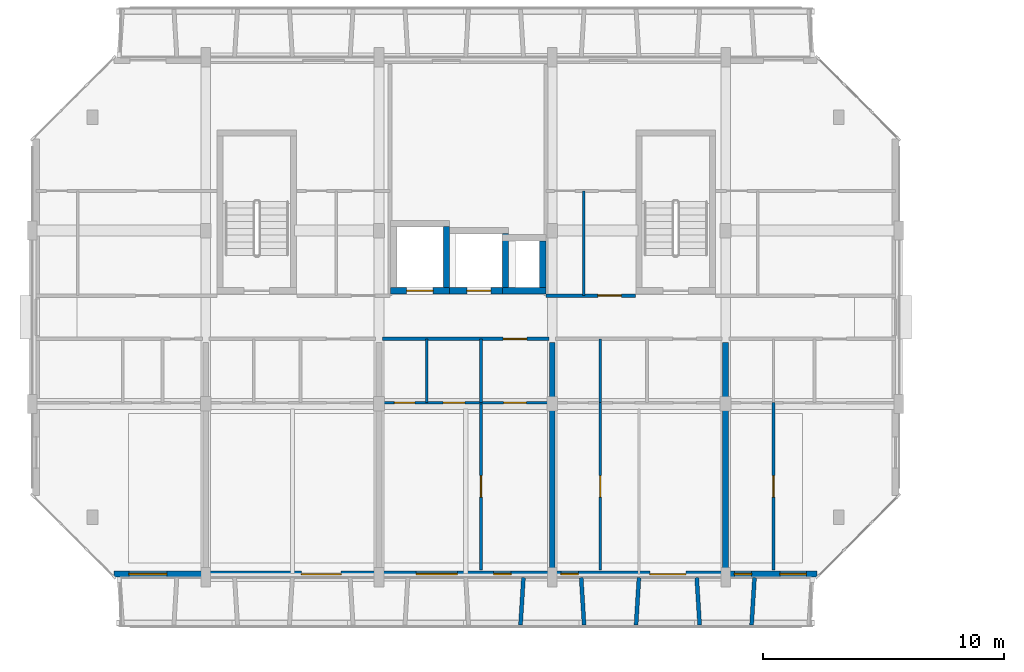
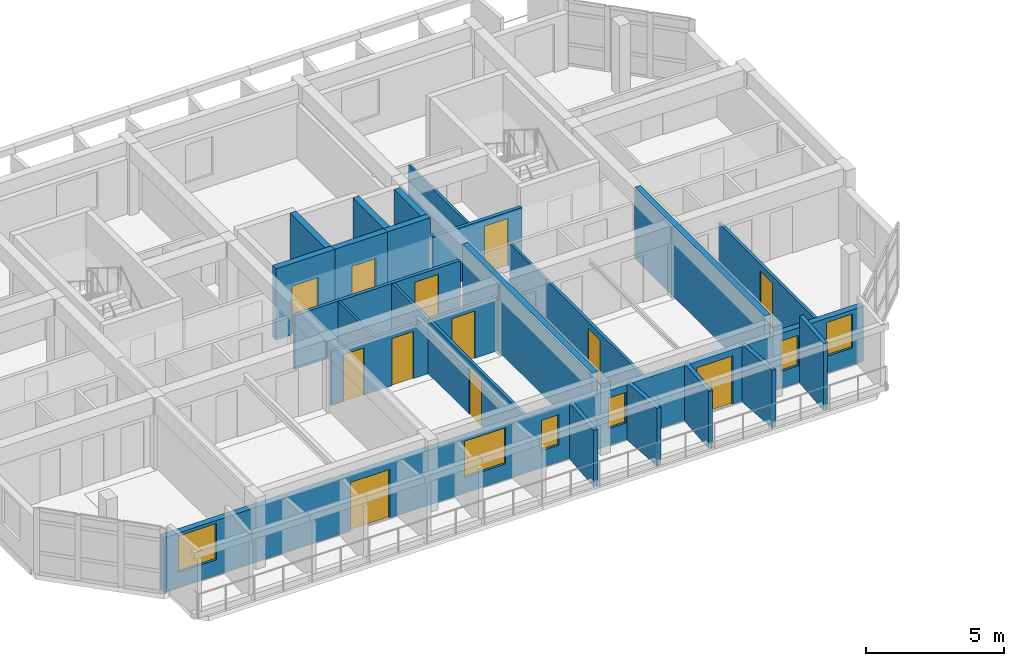
# One storey, part 17 of 45: 24 walls, 12 doors, 6 windows, 18 openings.
"""IFC4 building model written with IfcOpenShell, lengths in metres."""

from ifc_helpers import new_model, si_unit, direction, frame, frame_2d, origin, place, context, subcontext, project, spatial, rectangle, extrude, material, layer, layer_set, type_object, element, fill, save


model = new_model("IFC4")

# Units and contexts
model_context = context("Model", 3, precision=1e-05, world=origin(), true_north=direction((0.0, 1.0)))
body_context = subcontext(model_context, "Body", "Model", "MODEL_VIEW")
ifc_project = project(units=[si_unit("LENGTHUNIT", "METRE"), si_unit("AREAUNIT", "SQUARE_METRE"), si_unit("VOLUMEUNIT", "CUBIC_METRE"), si_unit("PLANEANGLEUNIT", "RADIAN"), si_unit("MASSUNIT", "GRAM", prefix="KILO")], contexts=[model_context])

# Site, building, storey
site_placement = place(None, origin())
site = spatial("IfcSite", under=ifc_project, at=site_placement, CompositionType="ELEMENT")
building_placement = place(site_placement, origin())
building = spatial("IfcBuilding", under=site, at=building_placement, Name="Ochrevale Crest", CompositionType="ELEMENT")
storey_placement = place(building_placement, frame((0.0, 0.0, 18.14990234375)))
storey = spatial("IfcBuildingStorey", under=building, at=storey_placement, Name="L05", CompositionType="ELEMENT", Elevation=18.14990234375)

# Wall, opening, door
ifc_material_1 = material(Name="Gypsum plasterboard", Category="gypsum")
ifc_layer_1 = layer(ifc_material_1, 0.139892578125)
ifc_layer_set_1 = layer_set([ifc_layer_1], Name="Gypsum plasterboard")
wall_type_1 = type_object("IfcWallType", Name="WL-COR-140", PredefinedType="PARTITIONING", material=ifc_layer_set_1)
wall_1_placement = place(storey_placement, frame((14.5400390625, 24.300048828125, 0.0), z_axis=(0.0, 0.0, 1.0), x_axis=(1.0, 0.0, 0.0)))
wall_1 = element("IfcWall", 1, at=wall_1_placement, inside=storey, type_object=wall_type_1, Name="Apartment A-L05-U3 corridor wall", PredefinedType="PARTITIONING", context=body_context, shape_type="SweptSolid", body=[
    extrude(rectangle(XDim=6.919921875, YDim=0.139892578125, at=frame_2d((3.4599609375, 0.0))), origin(), (0.0, 0.0, 1.0), 2.380126953125),
])
opening_1_placement = place(wall_1_placement, frame((6.0, 0.0, 0.0), z_axis=(0.0, 0.0, 1.0), x_axis=(-1.0, 0.0, 0.0)))
opening_1 = element("IfcOpeningElement", 2, at=opening_1_placement, cuts=wall_1, Name="Opening FD01", PredefinedType="OPENING", context=body_context, shape_type="SweptSolid", body=[
    extrude(rectangle(XDim=0.97998046875, YDim=2.10009765625, at=frame_2d((0.489990234375, 1.050048828125))), frame((0.0, 0.080078125, 0.0), z_axis=(0.0, -1.0, 0.0), x_axis=(1.0, 0.0, 0.0)), (0.0, 0.0, 1.0), 0.159912109375),
])
ifc_material_2 = material(Name="Solid-core FSC hardwood", Category="wood")
door_type_1 = type_object("IfcDoorType", Name="DR-APT-950", OperationType="NOTDEFINED", PredefinedType="DOOR", material=ifc_material_2)
door_1_placement = place(opening_1_placement, origin())
door_1 = element("IfcDoor", 3, at=door_1_placement, inside=storey, type_object=door_type_1, Name="Apartment A-L05-U3 entrance door", OperationType="SINGLE_SWING_RIGHT", OverallHeight=2.10009765625, OverallWidth=0.97998046875, PredefinedType="DOOR", context=body_context, shape_type="SweptSolid", body=[
    extrude(rectangle(XDim=0.97998046875, YDim=2.10009765625, at=frame_2d((0.489990234375, 1.050048828125))), frame((0.0, 0.02490234375, 0.0), z_axis=(0.0, -1.0, 0.0), x_axis=(1.0, 0.0, 0.0)), (0.0, 0.0, 1.0), 0.050048828125),
])
fill(opening_1, door_1)

wall_2_placement = place(storey_placement, frame((21.340087890625, 26.10009765625, 0.0), z_axis=(0.0, 0.0, 1.0), x_axis=(1.0, 0.0, 0.0)))
wall_2 = element("IfcWall", 4, at=wall_2_placement, inside=storey, type_object=wall_type_1, Name="Suite A-L05-ME corridor wall", PredefinedType="PARTITIONING", context=body_context, shape_type="SweptSolid", body=[
    extrude(rectangle(XDim=3.719970703125, YDim=0.139892578125, at=frame_2d((1.85986328125, 0.0))), origin(), (0.0, 0.0, 1.0), 2.380126953125),
])
opening_2_placement = place(wall_2_placement, frame((2.151123046875, 0.0, 0.0)))
opening_2 = element("IfcOpeningElement", 5, at=opening_2_placement, cuts=wall_2, Name="Opening FD01", PredefinedType="OPENING", context=body_context, shape_type="SweptSolid", body=[
    extrude(rectangle(XDim=0.97998046875, YDim=2.10009765625, at=frame_2d((0.489990234375, 1.050048828125))), frame((0.0, 0.080078125, 0.0), z_axis=(0.0, -1.0, 0.0), x_axis=(1.0, 0.0, 0.0)), (0.0, 0.0, 1.0), 0.159912109375),
])
door_2_placement = place(opening_2_placement, origin())
door_2 = element("IfcDoor", 6, at=door_2_placement, inside=storey, type_object=door_type_1, Name="Suite A-L05-ME entrance door", OperationType="SINGLE_SWING_LEFT", OverallHeight=2.10009765625, OverallWidth=0.97998046875, PredefinedType="DOOR", context=body_context, shape_type="SweptSolid", body=[
    extrude(rectangle(XDim=0.97998046875, YDim=2.10009765625, at=frame_2d((0.489990234375, 1.050048828125))), frame((0.0, 0.02490234375, 0.0), z_axis=(0.0, -1.0, 0.0), x_axis=(1.0, 0.0, 0.0)), (0.0, 0.0, 1.0), 0.050048828125),
])
fill(opening_2, door_2)

ifc_material_3 = material(Name="Precast concrete C50/60", Category="concrete")
ifc_layer_2 = layer(ifc_material_3, 0.2548828125)
ifc_layer_set_2 = layer_set([ifc_layer_2], Name="Precast concrete C50/60")
wall_type_2 = type_object("IfcWallType", Name="WL-CORE-255", PredefinedType="SHEAR", material=ifc_layer_set_2)
wall_3_placement = place(storey_placement, frame((14.87255859375, 26.300048828125, 0.0), z_axis=(0.0, 0.0, 1.0), x_axis=(1.0, 0.0, 0.0)))
wall_3 = element("IfcWall", 7, at=wall_3_placement, inside=storey, type_object=wall_type_2, Name="Block A L05 Lift 1 precast shaft shear wall S", PredefinedType="SHEAR", context=body_context, shape_type="SweptSolid", body=[
    extrude(rectangle(XDim=2.454833984375, YDim=0.2548828125, at=frame_2d((1.2275390625, 0.0))), origin(), (0.0, 0.0, 1.0), 3.150146484375),
])
opening_3_placement = place(wall_3_placement, frame((0.677490234375, 0.0, 0.0)))
opening_3 = element("IfcOpeningElement", 8, at=opening_3_placement, cuts=wall_3, Name="Opening LD01", PredefinedType="OPENING", context=body_context, shape_type="SweptSolid", body=[
    extrude(rectangle(XDim=1.10009765625, YDim=2.14990234375, at=frame_2d((0.550048828125, 1.074951171875))), frame((0.0, 0.137451171875, 0.0), z_axis=(0.0, -1.0, 0.0), x_axis=(1.0, 0.0, 0.0)), (0.0, 0.0, 1.0), 0.27490234375),
])
door_type_2 = type_object("IfcDoorType", Name="DR-LIFT-1100", OperationType="NOTDEFINED", PredefinedType="DOOR", material=ifc_material_2)
door_3_placement = place(opening_3_placement, origin())
door_3 = element("IfcDoor", 9, at=door_3_placement, inside=storey, type_object=door_type_2, Name="Lift LF-A1 L05 sliding landing door", OperationType="SLIDING_TO_LEFT", OverallHeight=2.14990234375, OverallWidth=1.10009765625, PredefinedType="DOOR", context=body_context, shape_type="SweptSolid", body=[
    extrude(rectangle(XDim=1.10009765625, YDim=2.14990234375, at=frame_2d((0.550048828125, 1.074951171875))), frame((0.0, 0.02490234375, 0.0), z_axis=(0.0, -1.0, 0.0), x_axis=(1.0, 0.0, 0.0)), (0.0, 0.0, 1.0), 0.050048828125),
])
fill(opening_3, door_3)

# Wall
wall_4_placement = place(storey_placement, frame((17.199951171875, 26.427490234375, 0.0), z_axis=(0.0, 0.0, 1.0), x_axis=(0.0, 1.0, 0.0)))
element("IfcWall", 10, at=wall_4_placement, inside=storey, type_object=wall_type_2, Name="Block A L05 Lift 1 precast shaft shear wall E", PredefinedType="SHEAR", context=body_context, shape_type="SweptSolid", body=[
    extrude(rectangle(XDim=2.544921875, YDim=0.2548828125, at=frame_2d((1.2724609375, 0.0))), origin(), (0.0, 0.0, 1.0), 3.150146484375),
])

# Wall, opening, door
wall_5_placement = place(storey_placement, frame((17.322509765625, 26.300048828125, 0.0), z_axis=(0.0, 0.0, 1.0), x_axis=(1.0, 0.0, 0.0)))
wall_5 = element("IfcWall", 11, at=wall_5_placement, inside=storey, type_object=wall_type_2, Name="Block A L05 Lift 2 precast shaft shear wall S", PredefinedType="SHEAR", context=body_context, shape_type="SweptSolid", body=[
    extrude(rectangle(XDim=2.455078125, YDim=0.2548828125, at=frame_2d((1.2275390625, 0.0))), origin(), (0.0, 0.0, 1.0), 3.150146484375),
])
opening_4_placement = place(wall_5_placement, frame((0.7275390625, 0.0, 0.0)))
opening_4 = element("IfcOpeningElement", 12, at=opening_4_placement, cuts=wall_5, Name="Opening LD02", PredefinedType="OPENING", context=body_context, shape_type="SweptSolid", body=[
    extrude(rectangle(XDim=1.0, YDim=2.14990234375, at=frame_2d((0.5, 1.074951171875))), frame((0.0, 0.137451171875, 0.0), z_axis=(0.0, -1.0, 0.0), x_axis=(1.0, 0.0, 0.0)), (0.0, 0.0, 1.0), 0.27490234375),
])
door_type_3 = type_object("IfcDoorType", Name="DR-LIFT-1000", OperationType="NOTDEFINED", PredefinedType="DOOR", material=ifc_material_2)
door_4_placement = place(opening_4_placement, origin())
door_4 = element("IfcDoor", 13, at=door_4_placement, inside=storey, type_object=door_type_3, Name="Lift LP-A2 L05 sliding landing door", OperationType="SLIDING_TO_RIGHT", OverallHeight=2.14990234375, OverallWidth=1.0, PredefinedType="DOOR", context=body_context, shape_type="SweptSolid", body=[
    extrude(rectangle(XDim=1.0, YDim=2.14990234375, at=frame_2d((0.5, 1.074951171875))), frame((0.0, 0.02490234375, 0.0), z_axis=(0.0, -1.0, 0.0), x_axis=(1.0, 0.0, 0.0)), (0.0, 0.0, 1.0), 0.050048828125),
])
fill(opening_4, door_4)

# Walls
wall_6_placement = place(storey_placement, frame((19.64990234375, 26.427490234375, 0.0), z_axis=(0.0, 0.0, 1.0), x_axis=(0.0, 1.0, 0.0)))
element("IfcWall", 14, at=wall_6_placement, inside=storey, type_object=wall_type_2, Name="Block A L05 Lift 2 precast shaft shear wall E", PredefinedType="SHEAR", context=body_context, shape_type="SweptSolid", body=[
    extrude(rectangle(XDim=2.2451171875, YDim=0.2548828125, at=frame_2d((1.12255859375, 0.0))), origin(), (0.0, 0.0, 1.0), 3.150146484375),
])
wall_7_placement = place(storey_placement, frame((19.5224609375, 26.300048828125, 0.0), z_axis=(0.0, 0.0, 1.0), x_axis=(1.0, 0.0, 0.0)))
element("IfcWall", 15, at=wall_7_placement, inside=storey, type_object=wall_type_2, Name="Block A L05 services riser shaft core wall S", PredefinedType="SHEAR", context=body_context, shape_type="SweptSolid", body=[
    extrude(rectangle(XDim=1.804931640625, YDim=0.2548828125, at=frame_2d((0.90234375, 0.0))), origin(), (0.0, 0.0, 1.0), 3.150146484375),
])
wall_8_placement = place(storey_placement, frame((21.199951171875, 26.427490234375, 0.0), z_axis=(0.0, 0.0, 1.0), x_axis=(0.0, 1.0, 0.0)))
element("IfcWall", 16, at=wall_8_placement, inside=storey, type_object=wall_type_2, Name="Block A L05 services riser shaft core wall E", PredefinedType="SHEAR", context=body_context, shape_type="SweptSolid", body=[
    extrude(rectangle(XDim=1.945068359375, YDim=0.2548828125, at=frame_2d((0.97265625, 0.0))), origin(), (0.0, 0.0, 1.0), 3.150146484375),
])

# Wall, openings, doors, windows
ifc_material_4 = material(Name="Precast concrete C40/50", Category="concrete")
ifc_layer_3 = layer(ifc_material_4, 0.25)
ifc_layer_set_3 = layer_set([ifc_layer_3], Name="Precast concrete C40/50")
wall_type_3 = type_object("IfcWallType", Name="WL-EXT-GOLD-250", PredefinedType="SOLIDWALL", material=ifc_layer_set_3)
wall_9_placement = place(storey_placement, frame((3.39990234375, 14.52490234375, 0.0), z_axis=(0.0, 0.0, 1.0), x_axis=(1.0, 0.0, 0.0)))
wall_9 = element("IfcWall", 17, at=wall_9_placement, inside=storey, type_object=wall_type_3, Name="Block A L05 external facade wall E1", PredefinedType="SOLIDWALL", context=body_context, shape_type="SweptSolid", body=[
    extrude(rectangle(XDim=29.2001953125, YDim=0.25, at=frame_2d((14.60009765625, 0.0))), origin(), (0.0, 0.0, 1.0), 2.43017578125),
])
opening_5_placement = place(wall_9_placement, frame((9.4248046875, 0.0, 0.0), z_axis=(0.0, 0.0, 1.0), x_axis=(-1.0, 0.0, 0.0)))
opening_5 = element("IfcOpeningElement", 18, at=opening_5_placement, cuts=wall_9, Name="Opening BD02", PredefinedType="OPENING", context=body_context, shape_type="SweptSolid", body=[
    extrude(rectangle(XDim=1.64990234375, YDim=2.14990234375, at=frame_2d((0.824951171875, 1.074951171875))), frame((0.0, 0.135009765625, 0.0), z_axis=(0.0, -1.0, 0.0), x_axis=(1.0, 0.0, 0.0)), (0.0, 0.0, 1.0), 0.27001953125),
])
opening_6_placement = place(wall_9_placement, frame((23.75, 0.0, 0.0), z_axis=(0.0, 0.0, 1.0), x_axis=(-1.0, 0.0, 0.0)))
opening_6 = element("IfcOpeningElement", 19, at=opening_6_placement, cuts=wall_9, Name="Opening BD01", PredefinedType="OPENING", context=body_context, shape_type="SweptSolid", body=[
    extrude(rectangle(XDim=1.5, YDim=2.14990234375, at=frame_2d((0.75, 1.074951171875))), frame((0.0, 0.135009765625, 0.0), z_axis=(0.0, -1.0, 0.0), x_axis=(1.0, 0.0, 0.0)), (0.0, 0.0, 1.0), 0.27001953125),
])
opening_7_placement = place(wall_9_placement, frame((0.610107421875, 0.0, 0.699951171875)))
opening_7 = element("IfcOpeningElement", 20, at=opening_7_placement, cuts=wall_9, Name="Opening W09", PredefinedType="OPENING", context=body_context, shape_type="SweptSolid", body=[
    extrude(rectangle(XDim=1.580078125, YDim=1.60009765625, at=frame_2d((0.7900390625, 0.800048828125))), frame((0.0, 0.135009765625, 0.0), z_axis=(0.0, -1.0, 0.0), x_axis=(1.0, 0.0, 0.0)), (0.0, 0.0, 1.0), 0.27001953125),
])
opening_8_placement = place(wall_9_placement, frame((12.5400390625, 0.0, 0.699951171875)))
opening_8 = element("IfcOpeningElement", 21, at=opening_8_placement, cuts=wall_9, Name="Opening W10", PredefinedType="OPENING", context=body_context, shape_type="SweptSolid", body=[
    extrude(rectangle(XDim=1.719970703125, YDim=1.60009765625, at=frame_2d((0.85986328125, 0.800048828125))), frame((0.0, 0.135009765625, 0.0), z_axis=(0.0, -1.0, 0.0), x_axis=(1.0, 0.0, 0.0)), (0.0, 0.0, 1.0), 0.27001953125),
])
opening_9_placement = place(wall_9_placement, frame((15.764892578125, 0.0, 0.75)))
opening_9 = element("IfcOpeningElement", 22, at=opening_9_placement, cuts=wall_9, Name="Opening W02", PredefinedType="OPENING", context=body_context, shape_type="SweptSolid", body=[
    extrude(rectangle(XDim=0.719970703125, YDim=1.35009765625, at=frame_2d((0.35986328125, 0.675048828125))), frame((0.0, 0.135009765625, 0.0), z_axis=(0.0, -1.0, 0.0), x_axis=(1.0, 0.0, 0.0)), (0.0, 0.0, 1.0), 0.27001953125),
])
opening_10_placement = place(wall_9_placement, frame((18.56005859375, 0.0, 0.75)))
opening_10 = element("IfcOpeningElement", 23, at=opening_10_placement, cuts=wall_9, Name="Opening W02", PredefinedType="OPENING", context=body_context, shape_type="SweptSolid", body=[
    extrude(rectangle(XDim=0.719970703125, YDim=1.35009765625, at=frame_2d((0.35986328125, 0.675048828125))), frame((0.0, 0.135009765625, 0.0), z_axis=(0.0, -1.0, 0.0), x_axis=(1.0, 0.0, 0.0)), (0.0, 0.0, 1.0), 0.27001953125),
])
opening_11_placement = place(wall_9_placement, frame((25.760009765625, 0.0, 0.75)))
opening_11 = element("IfcOpeningElement", 24, at=opening_11_placement, cuts=wall_9, Name="Opening W02", PredefinedType="OPENING", context=body_context, shape_type="SweptSolid", body=[
    extrude(rectangle(XDim=0.719970703125, YDim=1.35009765625, at=frame_2d((0.35986328125, 0.675048828125))), frame((0.0, 0.135009765625, 0.0), z_axis=(0.0, -1.0, 0.0), x_axis=(1.0, 0.0, 0.0)), (0.0, 0.0, 1.0), 0.27001953125),
])
opening_12_placement = place(wall_9_placement, frame((27.64990234375, 0.0, 0.75)))
opening_12 = element("IfcOpeningElement", 25, at=opening_12_placement, cuts=wall_9, Name="Opening W05", PredefinedType="OPENING", context=body_context, shape_type="SweptSolid", body=[
    extrude(rectangle(XDim=1.10009765625, YDim=1.5, at=frame_2d((0.550048828125, 0.75))), frame((0.0, 0.135009765625, 0.0), z_axis=(0.0, -1.0, 0.0), x_axis=(1.0, 0.0, 0.0)), (0.0, 0.0, 1.0), 0.27001953125),
])
ifc_material_5 = material(Name="Anodised aluminium 6063-T5 and toughened glass", Category="aluminium")
door_type_4 = type_object("IfcDoorType", Name="DR-BAL-1500", OperationType="NOTDEFINED", PredefinedType="DOOR", material=ifc_material_5)
door_5_placement = place(opening_6_placement, origin())
door_5 = element("IfcDoor", 26, at=door_5_placement, inside=storey, type_object=door_type_4, Name="Block A L05 balcony door S4", OperationType="SINGLE_SWING_RIGHT", OverallHeight=2.14990234375, OverallWidth=1.5, PredefinedType="DOOR", context=body_context, shape_type="SweptSolid", body=[
    extrude(rectangle(XDim=1.5, YDim=2.14990234375, at=frame_2d((0.75, 1.074951171875))), frame((0.0, 0.02490234375, 0.0), z_axis=(0.0, -1.0, 0.0), x_axis=(1.0, 0.0, 0.0)), (0.0, 0.0, 1.0), 0.050048828125),
])
fill(opening_6, door_5)
door_type_5 = type_object("IfcDoorType", Name="DR-BAL-1650", OperationType="NOTDEFINED", PredefinedType="DOOR", material=ifc_material_5)
door_6_placement = place(opening_5_placement, origin())
door_6 = element("IfcDoor", 27, at=door_6_placement, inside=storey, type_object=door_type_5, Name="Block A L05 balcony door S2", OperationType="SINGLE_SWING_LEFT", OverallHeight=2.14990234375, OverallWidth=1.64990234375, PredefinedType="DOOR", context=body_context, shape_type="SweptSolid", body=[
    extrude(rectangle(XDim=1.64990234375, YDim=2.14990234375, at=frame_2d((0.824951171875, 1.074951171875))), frame((0.0, 0.02490234375, 0.0), z_axis=(0.0, -1.0, 0.0), x_axis=(1.0, 0.0, 0.0)), (0.0, 0.0, 1.0), 0.050048828125),
])
fill(opening_5, door_6)
ifc_material_6 = material(Name="Anodised aluminium 6063-T5 and low-E double glazing", Category="aluminium")
window_type_1 = type_object("IfcWindowType", Name="WIN-W02", PartitioningType="SINGLE_PANEL", PredefinedType="WINDOW", material=ifc_material_6)
window_1_placement = place(opening_9_placement, origin())
window_1 = element("IfcWindow", 28, at=window_1_placement, inside=storey, type_object=window_type_1, Name="Block A L05 Apartment A-L05-U3 Two Bedroom Living Room window", OverallHeight=1.35009765625, OverallWidth=0.719970703125, PartitioningType="SINGLE_PANEL", PredefinedType="WINDOW", context=body_context, shape_type="SweptSolid", body=[
    extrude(rectangle(XDim=0.719970703125, YDim=1.35009765625, at=frame_2d((0.35986328125, 0.675048828125))), frame((0.0, 0.030029296875, 0.0), z_axis=(0.0, -1.0, 0.0), x_axis=(1.0, 0.0, 0.0)), (0.0, 0.0, 1.0), 0.06005859375),
])
fill(opening_9, window_1)
window_2_placement = place(opening_10_placement, origin())
window_2 = element("IfcWindow", 29, at=window_2_placement, inside=storey, type_object=window_type_1, Name="Block A L05 Apartment A-L05-U4 Master Bedroom window", OverallHeight=1.35009765625, OverallWidth=0.719970703125, PartitioningType="SINGLE_PANEL", PredefinedType="WINDOW", context=body_context, shape_type="SweptSolid", body=[
    extrude(rectangle(XDim=0.719970703125, YDim=1.35009765625, at=frame_2d((0.35986328125, 0.675048828125))), frame((0.0, 0.030029296875, 0.0), z_axis=(0.0, -1.0, 0.0), x_axis=(1.0, 0.0, 0.0)), (0.0, 0.0, 1.0), 0.06005859375),
])
fill(opening_10, window_2)
window_3_placement = place(opening_11_placement, origin())
window_3 = element("IfcWindow", 30, at=window_3_placement, inside=storey, type_object=window_type_1, Name="Block A L05 Apartment A-L05-U5 Twin Bedroom window", OverallHeight=1.35009765625, OverallWidth=0.719970703125, PartitioningType="SINGLE_PANEL", PredefinedType="WINDOW", context=body_context, shape_type="SweptSolid", body=[
    extrude(rectangle(XDim=0.719970703125, YDim=1.35009765625, at=frame_2d((0.35986328125, 0.675048828125))), frame((0.0, 0.030029296875, 0.0), z_axis=(0.0, -1.0, 0.0), x_axis=(1.0, 0.0, 0.0)), (0.0, 0.0, 1.0), 0.06005859375),
])
fill(opening_11, window_3)
window_type_2 = type_object("IfcWindowType", Name="WIN-W05", PartitioningType="SINGLE_PANEL", PredefinedType="WINDOW", material=ifc_material_6)
window_4_placement = place(opening_12_placement, origin())
window_4 = element("IfcWindow", 31, at=window_4_placement, inside=storey, type_object=window_type_2, Name="Block A L05 Apartment A-L05-U5 Three Bedroom Family Living window", OverallHeight=1.5, OverallWidth=1.10009765625, PartitioningType="SINGLE_PANEL", PredefinedType="WINDOW", context=body_context, shape_type="SweptSolid", body=[
    extrude(rectangle(XDim=1.10009765625, YDim=1.5, at=frame_2d((0.550048828125, 0.75))), frame((0.0, 0.030029296875, 0.0), z_axis=(0.0, -1.0, 0.0), x_axis=(1.0, 0.0, 0.0)), (0.0, 0.0, 1.0), 0.06005859375),
])
fill(opening_12, window_4)
window_type_3 = type_object("IfcWindowType", Name="WIN-W09", PartitioningType="SINGLE_PANEL", PredefinedType="WINDOW", material=ifc_material_6)
window_5_placement = place(opening_7_placement, origin())
window_5 = element("IfcWindow", 32, at=window_5_placement, inside=storey, type_object=window_type_3, Name="Block A L05 Studio A-L05-U1 Living Room window", OverallHeight=1.60009765625, OverallWidth=1.580078125, PartitioningType="SINGLE_PANEL", PredefinedType="WINDOW", context=body_context, shape_type="SweptSolid", body=[
    extrude(rectangle(XDim=1.580078125, YDim=1.60009765625, at=frame_2d((0.7900390625, 0.800048828125))), frame((0.0, 0.030029296875, 0.0), z_axis=(0.0, -1.0, 0.0), x_axis=(1.0, 0.0, 0.0)), (0.0, 0.0, 1.0), 0.06005859375),
])
fill(opening_7, window_5)
window_type_4 = type_object("IfcWindowType", Name="WIN-W10", PartitioningType="SINGLE_PANEL", PredefinedType="WINDOW", material=ifc_material_6)
window_6_placement = place(opening_8_placement, origin())
window_6 = element("IfcWindow", 33, at=window_6_placement, inside=storey, type_object=window_type_4, Name="Block A L05 Apartment A-L05-U3 Double Bedroom window", OverallHeight=1.60009765625, OverallWidth=1.719970703125, PartitioningType="SINGLE_PANEL", PredefinedType="WINDOW", context=body_context, shape_type="SweptSolid", body=[
    extrude(rectangle(XDim=1.719970703125, YDim=1.60009765625, at=frame_2d((0.85986328125, 0.800048828125))), frame((0.0, 0.030029296875, 0.0), z_axis=(0.0, -1.0, 0.0), x_axis=(1.0, 0.0, 0.0)), (0.0, 0.0, 1.0), 0.06005859375),
])
fill(opening_8, window_6)

# Walls
ifc_layer_4 = layer(ifc_material_4, 0.1650390625)
ifc_layer_set_4 = layer_set([ifc_layer_4], Name="Precast concrete C40/50")
wall_type_4 = type_object("IfcWallType", Name="WL-HC-CHEEK-165", PredefinedType="ELEMENTEDWALL", material=ifc_layer_set_4)
wall_10_placement = place(storey_placement, frame((20.39990234375, 14.3798828125, 0.0), z_axis=(0.0, 0.0, 1.0), x_axis=(-0.061046865508, -0.998134900808, 0.0)))
element("IfcWall", 34, at=wall_10_placement, inside=storey, type_object=wall_type_4, Name="Block A L05 S precast honeycomb cheek 8", PredefinedType="ELEMENTEDWALL", context=body_context, shape_type="SweptSolid", body=[
    extrude(rectangle(XDim=1.963623046875, YDim=0.1650390625, at=frame_2d((0.98193359375, 0.0))), origin(), (0.0, 0.0, 1.0), 2.47998046875),
])
for number, where, z_axis, x_axis, name in (
    (35, (22.800048828125, 14.3798828125, 0.0), (0.0, 0.0, 1.0), (0.061046865508, -0.998134900808, 0.0), "Block A L05 S precast honeycomb cheek 9"),
    (36, (25.199951171875, 14.3798828125, 0.0), (0.0, 0.0, 1.0), (-0.061046865508, -0.998134900808, 0.0), "Block A L05 S precast honeycomb cheek 10"),
    (37, (27.60009765625, 14.3798828125, 0.0), (0.0, 0.0, 1.0), (0.061046865508, -0.998134900808, 0.0), "Block A L05 S precast honeycomb cheek 11"),
):
    element("IfcWall", number, at=place(storey_placement, frame(where, z_axis=z_axis, x_axis=x_axis)), inside=storey, type_object=wall_type_4, Name=name, PredefinedType="ELEMENTEDWALL", context=body_context, shape_type="SweptSolid", body=[
        extrude(rectangle(XDim=1.963623046875, YDim=0.1650390625, at=frame_2d((0.98193359375, 0.0))), origin(), (0.0, 0.0, 1.0), 2.530029296875),
    ])
wall_11_placement = place(storey_placement, frame((30.0, 14.3798828125, 0.0), z_axis=(0.0, 0.0, 1.0), x_axis=(-0.061170732449, -0.998127317276, 0.0)))
element("IfcWall", 38, at=wall_11_placement, inside=storey, type_object=wall_type_4, Name="Block A L05 S precast honeycomb cheek 12", PredefinedType="ELEMENTEDWALL", context=body_context, shape_type="SweptSolid", body=[
    extrude(rectangle(XDim=1.963623046875, YDim=0.1650390625, at=frame_2d((0.98193359375, 0.0))), origin(), (0.0, 0.0, 1.0), 2.9501953125),
])
ifc_layer_5 = layer(ifc_material_1, 0.1201171875)
ifc_layer_set_5 = layer_set([ifc_layer_5], Name="Gypsum plasterboard")
wall_type_5 = type_object("IfcWallType", Name="WL-PART-120", PredefinedType="PARTITIONING", material=ifc_layer_set_5)
wall_12_placement = place(storey_placement, frame((18.639892578125, 21.64990234375, 0.0), z_axis=(0.0, 0.0, 1.0), x_axis=(0.0, 1.0, 0.0)))
element("IfcWall", 39, at=wall_12_placement, inside=storey, type_object=wall_type_5, Name="Apartment A-L05-U3 kitchen-foyer wall", PredefinedType="PARTITIONING", context=body_context, shape_type="SweptSolid", body=[
    extrude(rectangle(XDim=2.650146484375, YDim=0.1201171875, at=frame_2d((1.3251953125, 0.0))), origin(), (0.0, 0.0, 1.0), 2.375),
])

# Wall, openings, doors
wall_13_placement = place(storey_placement, frame((14.5400390625, 21.64990234375, 0.0), z_axis=(0.0, 0.0, 1.0), x_axis=(1.0, 0.0, 0.0)))
wall_13 = element("IfcWall", 40, at=wall_13_placement, inside=storey, type_object=wall_type_5, Name="Apartment A-L05-U3 central partition", PredefinedType="PARTITIONING", context=body_context, shape_type="SweptSolid", body=[
    extrude(rectangle(XDim=6.919921875, YDim=0.1201171875, at=frame_2d((3.4599609375, 0.0))), origin(), (0.0, 0.0, 1.0), 2.375),
])
opening_13_placement = place(wall_13_placement, frame((0.5, 0.0, 0.0)))
opening_13 = element("IfcOpeningElement", 41, at=opening_13_placement, cuts=wall_13, Name="Opening ID01", PredefinedType="OPENING", context=body_context, shape_type="SweptSolid", body=[
    extrude(rectangle(XDim=0.85009765625, YDim=2.080078125, at=frame_2d((0.425048828125, 1.0400390625))), frame((0.0, 0.070068359375, 0.0), z_axis=(0.0, -1.0, 0.0), x_axis=(1.0, 0.0, 0.0)), (0.0, 0.0, 1.0), 0.14013671875),
])
opening_14_placement = place(wall_13_placement, frame((3.4248046875, 0.0, 0.0), z_axis=(0.0, 0.0, 1.0), x_axis=(-1.0, 0.0, 0.0)))
opening_14 = element("IfcOpeningElement", 42, at=opening_14_placement, cuts=wall_13, Name="Opening ID02", PredefinedType="OPENING", context=body_context, shape_type="SweptSolid", body=[
    extrude(rectangle(XDim=0.89990234375, YDim=2.080078125, at=frame_2d((0.449951171875, 1.0400390625))), frame((0.0, 0.070068359375, 0.0), z_axis=(0.0, -1.0, 0.0), x_axis=(1.0, 0.0, 0.0)), (0.0, 0.0, 1.0), 0.14013671875),
])
opening_15_placement = place(wall_13_placement, frame((5.034912109375, 0.0, 0.0)))
opening_15 = element("IfcOpeningElement", 43, at=opening_15_placement, cuts=wall_13, Name="Opening ID06", PredefinedType="OPENING", context=body_context, shape_type="SweptSolid", body=[
    extrude(rectangle(XDim=0.949951171875, YDim=2.080078125, at=frame_2d((0.47509765625, 1.0400390625))), frame((0.0, 0.070068359375, 0.0), z_axis=(0.0, -1.0, 0.0), x_axis=(1.0, 0.0, 0.0)), (0.0, 0.0, 1.0), 0.14013671875),
])
door_type_6 = type_object("IfcDoorType", Name="DR-INT-900", OperationType="NOTDEFINED", PredefinedType="DOOR", material=ifc_material_2)
door_7_placement = place(opening_14_placement, origin())
door_7 = element("IfcDoor", 44, at=door_7_placement, inside=storey, type_object=door_type_6, Name="Apartment A-L05-U3 Kitchen door", OperationType="SINGLE_SWING_RIGHT", OverallHeight=2.080078125, OverallWidth=0.89990234375, PredefinedType="DOOR", context=body_context, shape_type="SweptSolid", body=[
    extrude(rectangle(XDim=0.89990234375, YDim=2.080078125, at=frame_2d((0.449951171875, 1.0400390625))), frame((0.0, 0.02490234375, 0.0), z_axis=(0.0, -1.0, 0.0), x_axis=(1.0, 0.0, 0.0)), (0.0, 0.0, 1.0), 0.050048828125),
])
fill(opening_14, door_7)
door_type_7 = type_object("IfcDoorType", Name="DR-INT-950", OperationType="NOTDEFINED", PredefinedType="DOOR", material=ifc_material_2)
door_8_placement = place(opening_15_placement, origin())
door_8 = element("IfcDoor", 45, at=door_8_placement, inside=storey, type_object=door_type_7, Name="Apartment A-L05-U3 Living Foyer door", OperationType="SINGLE_SWING_LEFT", OverallHeight=2.080078125, OverallWidth=0.949951171875, PredefinedType="DOOR", context=body_context, shape_type="SweptSolid", body=[
    extrude(rectangle(XDim=0.949951171875, YDim=2.080078125, at=frame_2d((0.47509765625, 1.0400390625))), frame((0.0, 0.02490234375, 0.0), z_axis=(0.0, -1.0, 0.0), x_axis=(1.0, 0.0, 0.0)), (0.0, 0.0, 1.0), 0.050048828125),
])
fill(opening_15, door_8)
door_type_8 = type_object("IfcDoorType", Name="DR-WC-850", OperationType="NOTDEFINED", PredefinedType="DOOR", material=ifc_material_2)
door_9_placement = place(opening_13_placement, origin())
door_9 = element("IfcDoor", 46, at=door_9_placement, inside=storey, type_object=door_type_8, Name="Apartment A-L05-U3 Bathroom door", OperationType="SINGLE_SWING_LEFT", OverallHeight=2.080078125, OverallWidth=0.85009765625, PredefinedType="DOOR", context=body_context, shape_type="SweptSolid", body=[
    extrude(rectangle(XDim=0.85009765625, YDim=2.080078125, at=frame_2d((0.425048828125, 1.0400390625))), frame((0.0, 0.02490234375, 0.0), z_axis=(0.0, -1.0, 0.0), x_axis=(1.0, 0.0, 0.0)), (0.0, 0.0, 1.0), 0.050048828125),
])
fill(opening_13, door_9)

# Wall, opening, door
wall_14_placement = place(storey_placement, frame((18.639892578125, 14.699951171875, 0.0), z_axis=(0.0, 0.0, 1.0), x_axis=(0.0, 1.0, 0.0)))
wall_14 = element("IfcWall", 47, at=wall_14_placement, inside=storey, type_object=wall_type_5, Name="Apartment A-L05-U3 bedroom partition", PredefinedType="PARTITIONING", context=body_context, shape_type="SweptSolid", body=[
    extrude(rectangle(XDim=6.949951171875, YDim=0.1201171875, at=frame_2d((3.47509765625, 0.0))), origin(), (0.0, 0.0, 1.0), 2.375),
])
opening_16_placement = place(wall_14_placement, frame((3.9248046875, 0.0, 0.0), z_axis=(0.0, 0.0, 1.0), x_axis=(-1.0, 0.0, 0.0)))
opening_16 = element("IfcOpeningElement", 48, at=opening_16_placement, cuts=wall_14, Name="Opening ID02", PredefinedType="OPENING", context=body_context, shape_type="SweptSolid", body=[
    extrude(rectangle(XDim=0.89990234375, YDim=2.080078125, at=frame_2d((0.449951171875, 1.0400390625))), frame((0.0, 0.070068359375, 0.0), z_axis=(0.0, -1.0, 0.0), x_axis=(1.0, 0.0, 0.0)), (0.0, 0.0, 1.0), 0.14013671875),
])
door_10_placement = place(opening_16_placement, origin())
door_10 = element("IfcDoor", 49, at=door_10_placement, inside=storey, type_object=door_type_6, Name="Apartment A-L05-U3 Double Bedroom door", OperationType="SINGLE_SWING_RIGHT", OverallHeight=2.080078125, OverallWidth=0.89990234375, PredefinedType="DOOR", context=body_context, shape_type="SweptSolid", body=[
    extrude(rectangle(XDim=0.89990234375, YDim=2.080078125, at=frame_2d((0.449951171875, 1.0400390625))), frame((0.0, 0.02490234375, 0.0), z_axis=(0.0, -1.0, 0.0), x_axis=(1.0, 0.0, 0.0)), (0.0, 0.0, 1.0), 0.050048828125),
])
fill(opening_16, door_10)

wall_15_placement = place(storey_placement, frame((23.590087890625, 14.699951171875, 0.0), z_axis=(0.0, 0.0, 1.0), x_axis=(0.0, 1.0, 0.0)))
wall_15 = element("IfcWall", 50, at=wall_15_placement, inside=storey, type_object=wall_type_5, Name="Apartment A-L05-U4 bedroom partition", PredefinedType="PARTITIONING", context=body_context, shape_type="SweptSolid", body=[
    extrude(rectangle(XDim=6.949951171875, YDim=0.1201171875, at=frame_2d((3.47509765625, 0.0))), origin(), (0.0, 0.0, 1.0), 2.375),
])
opening_17_placement = place(wall_15_placement, frame((3.02490234375, 0.0, 0.0)))
opening_17 = element("IfcOpeningElement", 51, at=opening_17_placement, cuts=wall_15, Name="Opening ID02", PredefinedType="OPENING", context=body_context, shape_type="SweptSolid", body=[
    extrude(rectangle(XDim=0.89990234375, YDim=2.080078125, at=frame_2d((0.449951171875, 1.0400390625))), frame((0.0, 0.070068359375, 0.0), z_axis=(0.0, -1.0, 0.0), x_axis=(1.0, 0.0, 0.0)), (0.0, 0.0, 1.0), 0.14013671875),
])
door_11_placement = place(opening_17_placement, origin())
door_11 = element("IfcDoor", 52, at=door_11_placement, inside=storey, type_object=door_type_6, Name="Apartment A-L05-U4 Master Bedroom door", OperationType="SINGLE_SWING_LEFT", OverallHeight=2.080078125, OverallWidth=0.89990234375, PredefinedType="DOOR", context=body_context, shape_type="SweptSolid", body=[
    extrude(rectangle(XDim=0.89990234375, YDim=2.080078125, at=frame_2d((0.449951171875, 1.0400390625))), frame((0.0, 0.02490234375, 0.0), z_axis=(0.0, -1.0, 0.0), x_axis=(1.0, 0.0, 0.0)), (0.0, 0.0, 1.0), 0.050048828125),
])
fill(opening_17, door_11)

wall_16_placement = place(storey_placement, frame((30.7900390625, 14.699951171875, 0.0), z_axis=(0.0, 0.0, 1.0), x_axis=(0.0, 1.0, 0.0)))
wall_16 = element("IfcWall", 53, at=wall_16_placement, inside=storey, type_object=wall_type_5, Name="Apartment A-L05-U5 bedroom partition", PredefinedType="PARTITIONING", context=body_context, shape_type="SweptSolid", body=[
    extrude(rectangle(XDim=6.949951171875, YDim=0.1201171875, at=frame_2d((3.47509765625, 0.0))), origin(), (0.0, 0.0, 1.0), 2.375),
])
opening_18_placement = place(wall_16_placement, frame((3.9248046875, 0.0, 0.0), z_axis=(0.0, 0.0, 1.0), x_axis=(-1.0, 0.0, 0.0)))
opening_18 = element("IfcOpeningElement", 54, at=opening_18_placement, cuts=wall_16, Name="Opening ID02", PredefinedType="OPENING", context=body_context, shape_type="SweptSolid", body=[
    extrude(rectangle(XDim=0.89990234375, YDim=2.080078125, at=frame_2d((0.449951171875, 1.0400390625))), frame((0.0, 0.070068359375, 0.0), z_axis=(0.0, -1.0, 0.0), x_axis=(1.0, 0.0, 0.0)), (0.0, 0.0, 1.0), 0.14013671875),
])
door_12_placement = place(opening_18_placement, origin())
door_12 = element("IfcDoor", 55, at=door_12_placement, inside=storey, type_object=door_type_6, Name="Apartment A-L05-U5 Twin Bedroom door", OperationType="SINGLE_SWING_RIGHT", OverallHeight=2.080078125, OverallWidth=0.89990234375, PredefinedType="DOOR", context=body_context, shape_type="SweptSolid", body=[
    extrude(rectangle(XDim=0.89990234375, YDim=2.080078125, at=frame_2d((0.449951171875, 1.0400390625))), frame((0.0, 0.02490234375, 0.0), z_axis=(0.0, -1.0, 0.0), x_axis=(1.0, 0.0, 0.0)), (0.0, 0.0, 1.0), 0.050048828125),
])
fill(opening_18, door_12)

# Walls
ifc_layer_6 = layer(ifc_material_3, 0.239990234375)
ifc_layer_set_6 = layer_set([ifc_layer_6], Name="Precast concrete C50/60")
wall_type_6 = type_object("IfcWallType", Name="WL-SHEAR-240", PredefinedType="SHEAR", material=ifc_layer_set_6)
for number, where, z_axis, x_axis, name in (
    (56, (21.60009765625, 14.75, 0.0), (0.0, 0.0, 1.0), (0.0, 1.0, 0.0), "Block A L05 load-bearing precast cross-wall X=21.6"),
    (57, (28.800048828125, 14.75, 0.0), (0.0, 0.0, 1.0), (0.0, 1.0, 0.0), "Block A L05 load-bearing precast cross-wall X=28.8"),
):
    element("IfcWall", number, at=place(storey_placement, frame(where, z_axis=z_axis, x_axis=x_axis)), inside=storey, type_object=wall_type_6, Name=name, PredefinedType="SHEAR", context=body_context, shape_type="SweptSolid", body=[
        extrude(rectangle(XDim=9.39990234375, YDim=0.239990234375, at=frame_2d((4.699951171875, 0.0))), origin(), (0.0, 0.0, 1.0), 3.150146484375),
    ])
ifc_layer_7 = layer(ifc_material_1, 0.10009765625)
ifc_layer_set_7 = layer_set([ifc_layer_7], Name="Gypsum plasterboard")
wall_type_7 = type_object("IfcWallType", Name="WL-WET-100", PredefinedType="PARTITIONING", material=ifc_layer_set_7)
for number, where, z_axis, x_axis, name in (
    (58, (16.389892578125, 21.64990234375, 0.0), (0.0, 0.0, 1.0), (0.0, 1.0, 0.0), "Apartment A-L05-U3 bath-kitchen wall"),
    (59, (23.590087890625, 21.64990234375, 0.0), (0.0, 0.0, 1.0), (0.0, 1.0, 0.0), "Apartment A-L05-U4 bath-kitchen wall"),
):
    element("IfcWall", number, at=place(storey_placement, frame(where, z_axis=z_axis, x_axis=x_axis)), inside=storey, type_object=wall_type_7, Name=name, PredefinedType="PARTITIONING", context=body_context, shape_type="SweptSolid", body=[
        extrude(rectangle(XDim=2.650146484375, YDim=0.10009765625, at=frame_2d((1.3251953125, 0.0))), origin(), (0.0, 0.0, 1.0), 2.375),
    ])
wall_17_placement = place(storey_placement, frame((22.90234375, 26.10009765625, 0.0), z_axis=(0.0, 0.0, 1.0), x_axis=(0.0, 1.0, 0.0)))
element("IfcWall", 60, at=wall_17_placement, inside=storey, type_object=wall_type_7, Name="Suite A-L05-ME bathroom divider", PredefinedType="PARTITIONING", context=body_context, shape_type="SweptSolid", body=[
    extrude(rectangle(XDim=4.349853515625, YDim=0.10009765625, at=frame_2d((2.1748046875, 0.0))), origin(), (0.0, 0.0, 1.0), 2.375),
])

save(model, "model.ifc")
